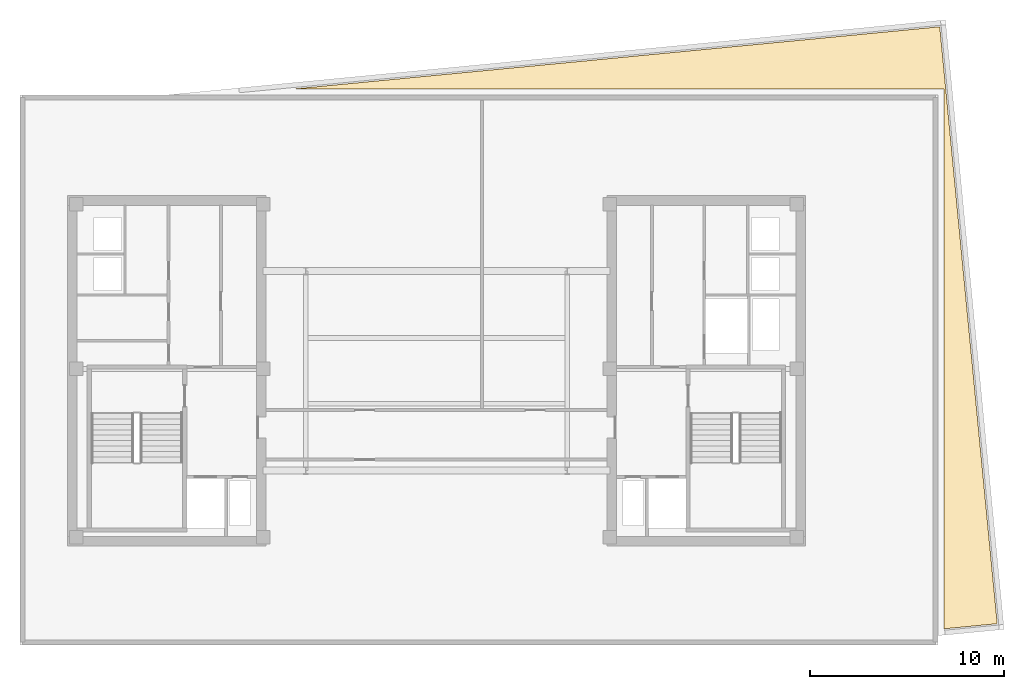
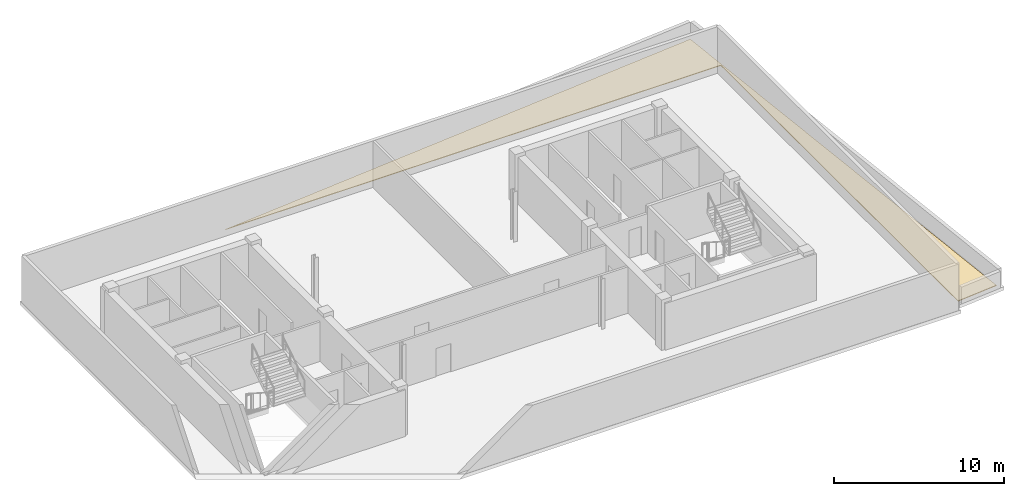
# One storey, part 6 of 6: 1 covering.
"""IFC4 building model written with IfcOpenShell, lengths in metres."""

from ifc_helpers import new_model, si_unit, direction, frame, origin, place, context, subcontext, project, spatial, polyline, outline, extrude, material, layer, layer_set, type_object, element, save


model = new_model("IFC4")

# Units and contexts
model_context = context("Model", 3, precision=1e-05, world=origin(), true_north=direction((0.0, 1.0)))
body_context = subcontext(model_context, "Body", "Model", "MODEL_VIEW")
ifc_project = project(units=[si_unit("LENGTHUNIT", "METRE"), si_unit("AREAUNIT", "SQUARE_METRE"), si_unit("VOLUMEUNIT", "CUBIC_METRE"), si_unit("PLANEANGLEUNIT", "RADIAN"), si_unit("MASSUNIT", "GRAM", prefix="KILO")], contexts=[model_context])

# Site, building, storey
site_placement = place(None, origin())
site = spatial("IfcSite", under=ifc_project, at=site_placement, CompositionType="ELEMENT")
building_placement = place(site_placement, origin())
building = spatial("IfcBuilding", under=site, at=building_placement, Name="Velakula Bourse", CompositionType="ELEMENT")
storey_placement = place(building_placement, frame((0.0, 0.0, 290.550048828125)))
storey = spatial("IfcBuildingStorey", under=building, at=storey_placement, Name="L79", CompositionType="ELEMENT", Elevation=290.550048828125)

# Covering
ifc_material = material(Name="Modified bitumen SBS waterproofing membrane", Category="bitumen")
ifc_layer = layer(ifc_material, 0.044921875, Name="Modified bitumen SBS waterproofing membrane", Category="bitumen")
ifc_layer_set = layer_set([ifc_layer], Name="Modified bitumen SBS waterproofing membrane")
covering_type = type_object("IfcCoveringType", Name="COV-ROOF-SBS-45", PredefinedType="ROOFING", material=ifc_layer_set)
covering_placement = place(storey_placement, origin())
element("IfcCovering", 1, at=covering_placement, inside=storey, type_object=covering_type, Name="L79 SBS Waterproofing Roof Membrane 1", PredefinedType="ROOFING", context=body_context, shape_type="SweptSolid", body=[
    extrude(outline(polyline([(25.983154296875, 17.7646484375), (28.950439453125, -13.052734375), (26.199951171875, -13.317626953125), (26.199951171875, 14.550048828125), (-7.40185546875, 14.550048828125), (25.983154296875, 17.7646484375)])), origin(), (0.0, 0.0, 1.0), 0.044921875),
])

save(model, "model.ifc")
